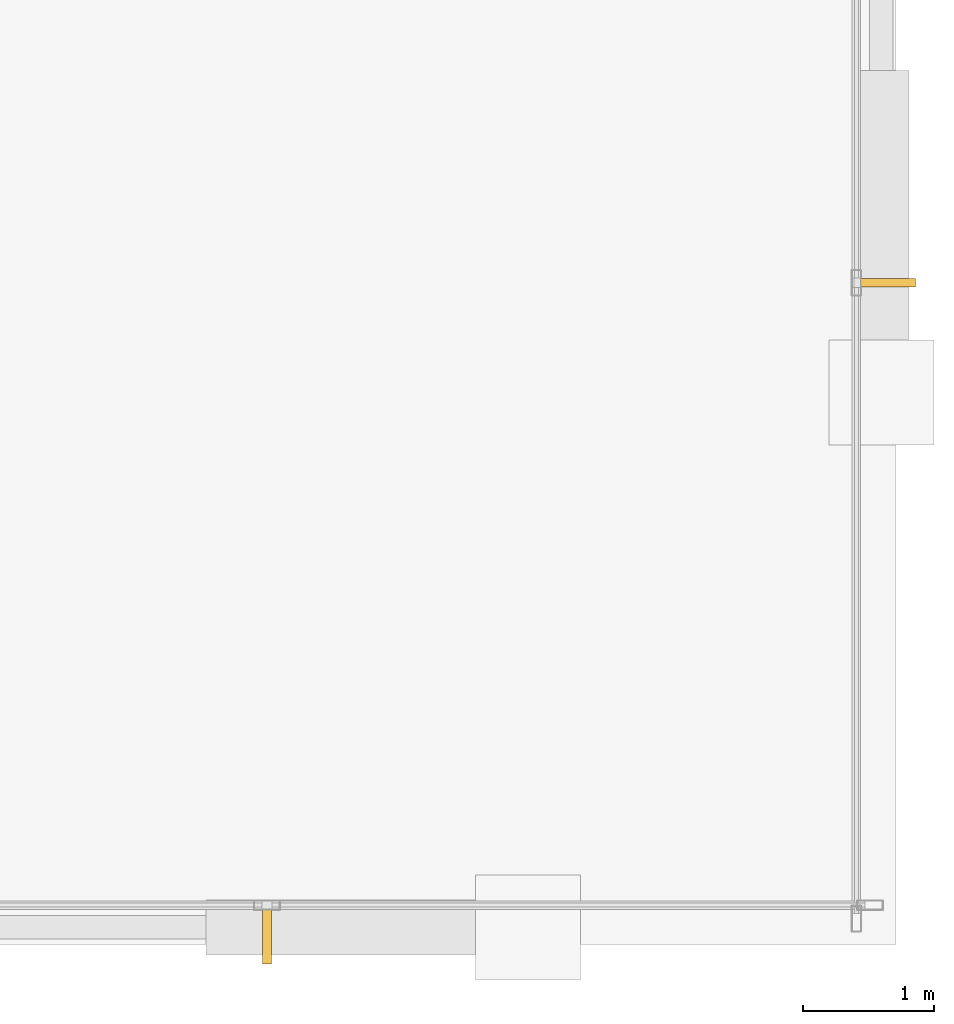
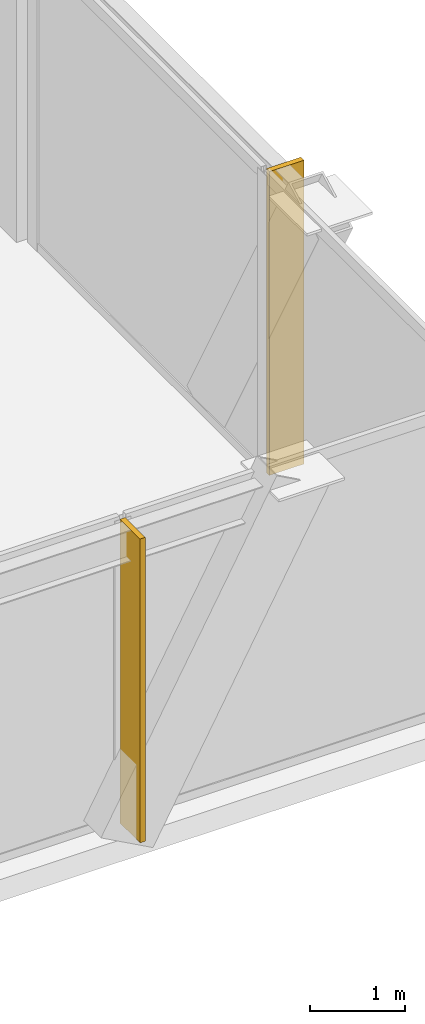
# One storey, part 42 of 46: 2 shading devices.
"""IFC4 building model written with IfcOpenShell, lengths in metres."""

from ifc_helpers import new_model, si_unit, direction, frame, origin, origin_2d, place, context, subcontext, project, spatial, rectangle, extrude, material, layer, layer_set, type_object, element, save


model = new_model("IFC4")

# Units and contexts
model_context = context("Model", 3, precision=1e-05, world=origin(), true_north=direction((0.0, 1.0)))
body_context = subcontext(model_context, "Body", "Model", "MODEL_VIEW")
ifc_project = project(units=[si_unit("LENGTHUNIT", "METRE"), si_unit("AREAUNIT", "SQUARE_METRE"), si_unit("VOLUMEUNIT", "CUBIC_METRE"), si_unit("PLANEANGLEUNIT", "RADIAN"), si_unit("MASSUNIT", "GRAM", prefix="KILO")], contexts=[model_context])

# Site, building, storey
site_placement = place(None, origin())
site = spatial("IfcSite", under=ifc_project, at=site_placement, CompositionType="ELEMENT")
building_placement = place(site_placement, origin())
building = spatial("IfcBuilding", under=site, at=building_placement, Name="Orvanel Arch Residences", CompositionType="ELEMENT")
storey_placement = place(building_placement, frame((0.0, 0.0, 14.10009765625)))
storey = spatial("IfcBuildingStorey", under=building, at=storey_placement, Name="L03", CompositionType="ELEMENT", Elevation=14.10009765625)

# Shading devices
ifc_material = material(Name="Bronze-anodised aluminium AA6063-T6", Category="aluminium")
ifc_layer = layer(ifc_material, 0.06494140625)
ifc_layer_set = layer_set([ifc_layer], Name="Bronze-anodised aluminium AA6063-T6")
shading_device_type = type_object("IfcShadingDeviceType", Name="FIN-BRZ-420", PredefinedType="USERDEFINED", material=ifc_layer_set)
for number, where, z_axis, x_axis, name in (
    (1, (59.965087890625, 0.510009765625, 0.0), (0.0, 0.0, 1.0), (0.0, -1.0, 0.0), "L03 Anodised Bronze Mullion FIN 01"),
    (2, (64.68994140625, 5.485107421875, 0.0), (0.0, 0.0, 1.0), (1.0, 0.0, 0.0), "L03 Anodised Bronze Mullion FIN 01"),
):
    element("IfcShadingDevice", number, at=place(storey_placement, frame(where, z_axis=z_axis, x_axis=x_axis)), inside=storey, type_object=shading_device_type, Name=name, ObjectType="FIN", PredefinedType="USERDEFINED", context=body_context, shape_type="SweptSolid", body=[
        extrude(rectangle(XDim=0.419921875, YDim=0.06494140625, at=origin_2d()), origin(), (0.0, 0.0, 1.0), 3.89990234375),
    ])

save(model, "model.ifc")
